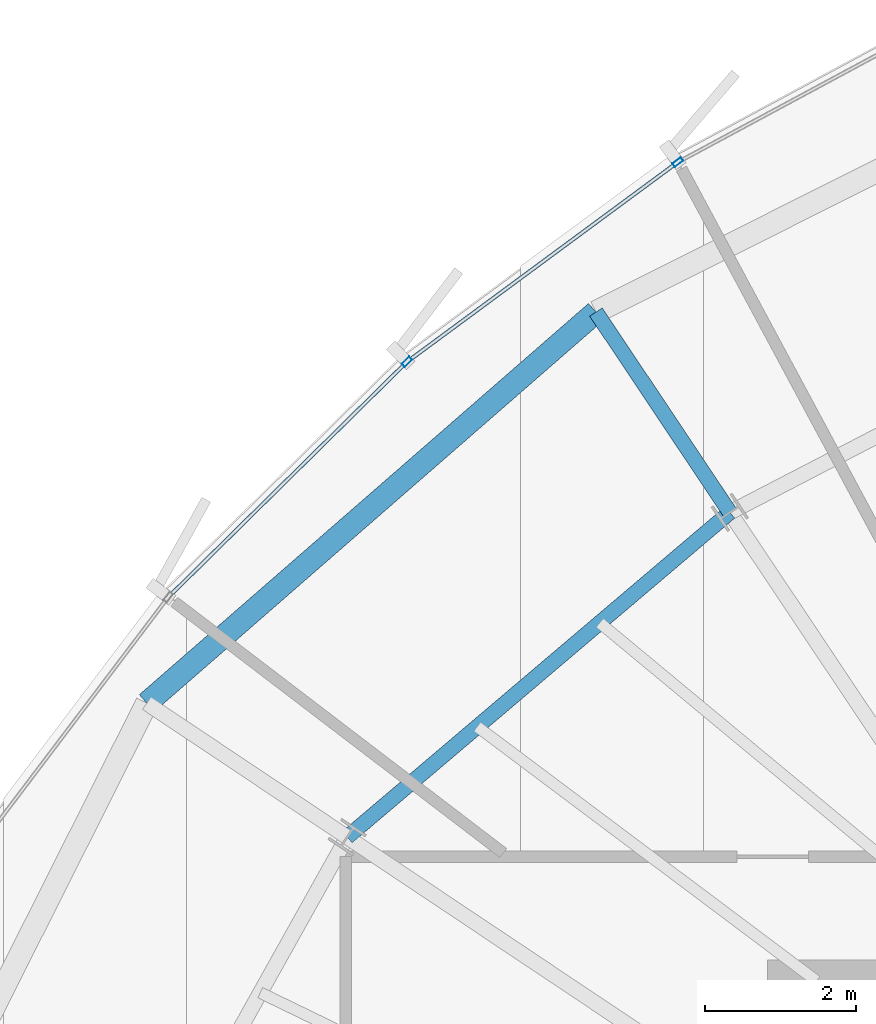
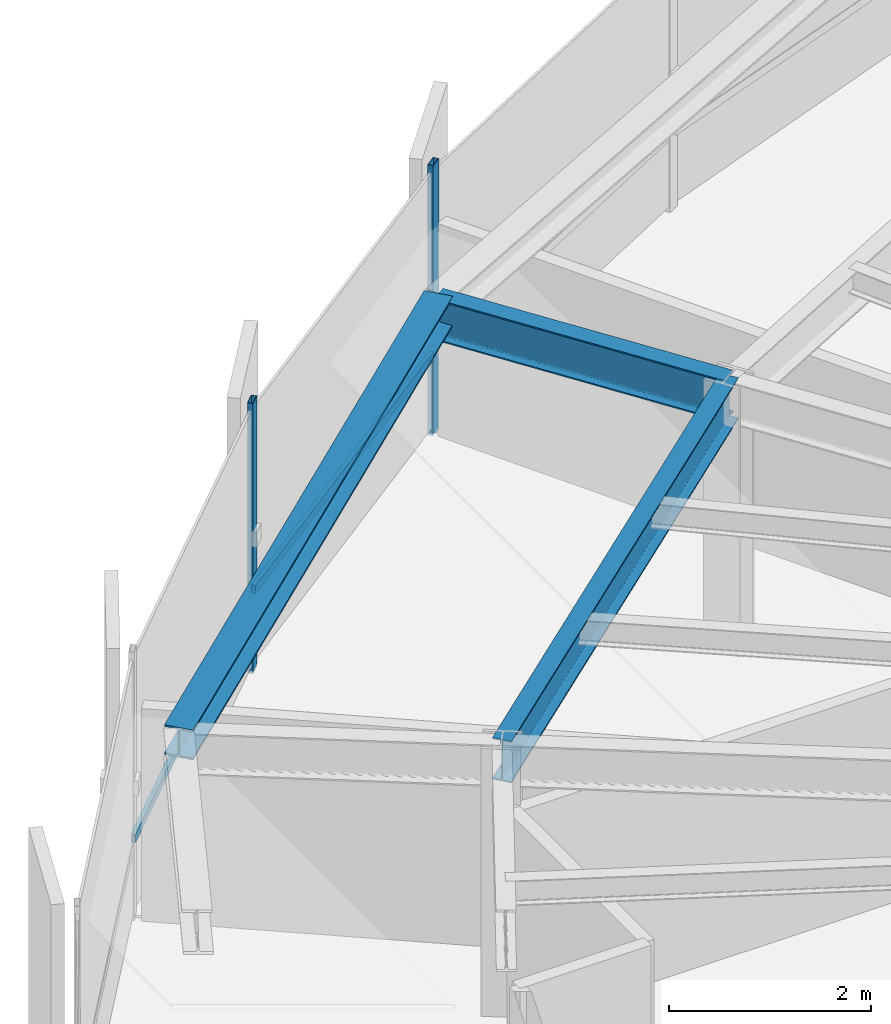
# One storey, part 22 of 36: 4 members, 3 beams, 1 element without a shape of its own.
"""IFC4 building model written with IfcOpenShell, lengths in metres."""

from ifc_helpers import new_model, si_unit, direction, frame, origin, origin_2d, place, context, subcontext, project, spatial, hollow_rectangle, i_section, extrude, source, transform, mapped, material, layer, layer_set, material_profile, profile_set, type_object, element, aggregate, save


model = new_model("IFC4")

# Units and contexts
model_context = context("Model", 3, precision=1e-05, world=origin(), true_north=direction((0.0, 1.0)))
body_context = subcontext(model_context, "Body", "Model", "MODEL_VIEW")
ifc_project = project(units=[si_unit("LENGTHUNIT", "METRE"), si_unit("AREAUNIT", "SQUARE_METRE"), si_unit("VOLUMEUNIT", "CUBIC_METRE"), si_unit("PLANEANGLEUNIT", "RADIAN"), si_unit("MASSUNIT", "GRAM", prefix="KILO"), si_unit("THERMODYNAMICTEMPERATUREUNIT", "KELVIN")], contexts=[model_context])

# Site, building, storey
site_placement = place(None, origin())
site = spatial("IfcSite", under=ifc_project, at=site_placement, CompositionType="ELEMENT")
building_placement = place(site_placement, origin())
building = spatial("IfcBuilding", under=site, at=building_placement, Name="Kethvar Cultural Tower", CompositionType="ELEMENT")
storey_placement = place(building_placement, frame((0.0, 0.0, 197.39990234375)))
storey = spatial("IfcBuildingStorey", under=building, at=storey_placement, Name="L51", CompositionType="ELEMENT", Elevation=197.39990234375)

# Beams
ifc_material_1 = material(Name="Steel S355J2", Category="steel")
ifc_material_profile_1 = material_profile(ifc_material_1, i_section(OverallWidth=0.199951171875, OverallDepth=0.5, WebThickness=0.01025390625, FlangeThickness=0.01611328125, FilletRadius=0.02099609375, at=origin_2d()), Name="Steel S355J2 — IPE500")
ifc_profile_set_1 = profile_set([ifc_material_profile_1], Name="Steel S355J2 — IPE500")
beam_type_1 = type_object("IfcBeamType", Name="BM-IPE500", PredefinedType="BEAM", material=ifc_profile_set_1)
shared_shape_1 = source(origin(), body_context, "Body", "SweptSolid", [
    extrude(i_section(OverallWidth=0.199951171875, OverallDepth=0.5, WebThickness=0.01025390625, FlangeThickness=0.01611328125, FilletRadius=0.02099609375, at=origin_2d()), origin(), (0.0, 0.0, 1.0), 3.199951171875),
])
beam_1_placement = place(storey_placement, frame((37.498779296875, 41.720458984375, 3.008056640625), z_axis=(-0.555580212716, 0.831462943996, 0.0), x_axis=(-0.831462943996, -0.555580212716, 0.0)))
element("IfcBeam", 1, at=beam_1_placement, inside=storey, type_object=beam_type_1, Name="L51 Perimeter Cantilever Beam RC-06", PredefinedType="BEAM", context=body_context, shape_type="MappedRepresentation", body=[
    mapped(shared_shape_1, transform((0.0, 0.0, 0.0), scale=1.0)),
])
shared_shape_2 = source(origin(), body_context, "Body", "SweptSolid", [
    extrude(i_section(OverallWidth=0.199951171875, OverallDepth=0.5, WebThickness=0.01025390625, FlangeThickness=0.01611328125, FilletRadius=0.02099609375, at=origin_2d()), origin(), (0.0, 0.0, 1.0), 6.6630859375),
])
beam_2_placement = place(storey_placement, frame((37.498779296875, 41.720458984375, 3.008056640625), z_axis=(-0.762490511547, -0.646999397064, 0.0), x_axis=(0.646999397064, -0.762490511547, 0.0)))
element("IfcBeam", 2, at=beam_2_placement, inside=storey, type_object=beam_type_1, Name="L51 Column Ring Tie Beam CR-06", PredefinedType="BEAM", context=body_context, shape_type="MappedRepresentation", body=[
    mapped(shared_shape_2, transform((0.0, 0.0, 0.0), scale=1.0)),
])
ifc_material_profile_2 = material_profile(ifc_material_1, i_section(OverallWidth=0.300048828125, OverallDepth=0.360107421875, WebThickness=0.012451171875, FlangeThickness=0.0224609375, FilletRadius=0.027099609375, at=origin_2d()), Name="Steel S355J2 — HEB360")
ifc_profile_set_2 = profile_set([ifc_material_profile_2], Name="Steel S355J2 — HEB360")
beam_type_2 = type_object("IfcBeamType", Name="BM-SP360", PredefinedType="SPANDREL", material=ifc_profile_set_2)
shared_shape_3 = source(origin(), body_context, "Body", "SweptSolid", [
    extrude(i_section(OverallWidth=0.300048828125, OverallDepth=0.360107421875, WebThickness=0.012451171875, FlangeThickness=0.0224609375, FilletRadius=0.027099609375, at=origin_2d()), origin(), (0.0, 0.0, 1.0), 7.908203125),
])
beam_3_placement = place(storey_placement, frame((35.720947265625, 44.381103515625, 3.078125), z_axis=(-0.754085541675, -0.656776214427, 0.0), x_axis=(0.656776214427, -0.754085541675, 0.0)))
element("IfcBeam", 3, at=beam_3_placement, inside=storey, type_object=beam_type_2, Name="L51 Perimeter Spandrel Beam SP-06", PredefinedType="SPANDREL", context=body_context, shape_type="MappedRepresentation", body=[
    mapped(shared_shape_3, transform((0.0, 0.0, 0.0), scale=1.0)),
])

# Curtain wall, members
ifc_material_2 = material(Name="Aluminium 6063-T6", Category="aluminium")
ifc_layer = layer(ifc_material_2, 0.179931640625, Name="Aluminium 6063-T6", Category="aluminium")
ifc_layer_set = layer_set([ifc_layer], Name="Aluminium 6063-T6 (180 mm)")
curtain_wall_type = type_object("IfcCurtainWallType", Name="CW-SYS-04-Z34", PredefinedType="NOTDEFINED", material=ifc_layer_set)
curtain_wall_placement = place(storey_placement, origin())
curtain_wall = element("IfcCurtainWall", 4, at=curtain_wall_placement, inside=storey, type_object=curtain_wall_type, Name="L51 Curtain Wall Run 02", PredefinedType="NOTDEFINED")
ifc_material_profile_3 = material_profile(ifc_material_2, hollow_rectangle(XDim=0.06005859375, YDim=0.139892578125, WallThickness=0.0048828125, at=origin_2d()), Name="Aluminium 6063-T6 — RHS140x60x5")
ifc_profile_set_3 = profile_set([ifc_material_profile_3], Name="Aluminium 6063-T6 — RHS140x60x5")
member_type_1 = type_object("IfcMemberType", Name="CW-SYS-04-Z34-MUL", PredefinedType="MULLION", material=ifc_profile_set_3)
shared_shape_4 = source(origin(), body_context, "Body", "SweptSolid", [
    extrude(hollow_rectangle(XDim=0.06005859375, YDim=0.139892578125, WallThickness=0.0048828125, at=origin_2d()), origin(), (0.0, 0.0, 1.0), 3.260009765625),
])
member_1_placement = place(storey_placement, frame((36.808837890625, 46.37158203125, 0.0), z_axis=(0.0, 0.0, 1.0), x_axis=(0.593573404182, -0.804779854275, 0.0)))
member_1 = element("IfcMember", 5, at=member_1_placement, type_object=member_type_1, Name="CW-L51-R02 Mullion 3", PredefinedType="MULLION", context=body_context, shape_type="MappedRepresentation", body=[
    mapped(shared_shape_4, transform((0.0, 0.0, 0.0), scale=1.0)),
])
member_2_placement = place(storey_placement, frame((33.212890625, 43.720703125, 0.0), z_axis=(0.0, 0.0, 1.0), x_axis=(0.702190333629, -0.711989280367, 0.0)))
member_2 = element("IfcMember", 6, at=member_2_placement, type_object=member_type_1, Name="CW-L51-R02 Mullion 4", PredefinedType="MULLION", context=body_context, shape_type="MappedRepresentation", body=[
    mapped(shared_shape_4, transform((0.0, 0.0, 0.0), scale=1.0)),
])
ifc_material_profile_4 = material_profile(ifc_material_2, hollow_rectangle(XDim=0.050048828125, YDim=0.10009765625, WallThickness=0.00390625, at=origin_2d()), Name="Aluminium 6063-T6 — RHS100x50x4")
ifc_profile_set_4 = profile_set([ifc_material_profile_4], Name="Aluminium 6063-T6 — RHS100x50x4")
member_type_2 = type_object("IfcMemberType", Name="CW-SYS-04-Z34-TRN", PredefinedType="USERDEFINED", material=ifc_profile_set_4)
shared_shape_5 = source(origin(), body_context, "Body", "SweptSolid", [
    extrude(hollow_rectangle(XDim=0.050048828125, YDim=0.10009765625, WallThickness=0.00390625, at=origin_2d()), origin(), (0.0, 0.0, 1.0), 4.39697265625),
])
member_3_placement = place(storey_placement, frame((36.774169921875, 46.345947265625, 0.9501953125), z_axis=(-0.804785004918, -0.593566420765, 0.0), x_axis=(0.593566420765, -0.804785004918, 0.0)))
member_3 = element("IfcMember", 7, at=member_3_placement, type_object=member_type_2, Name="CW-L51-R02 Transom 3", ObjectType="TRANSOM", PredefinedType="USERDEFINED", context=body_context, shape_type="MappedRepresentation", body=[
    mapped(shared_shape_5, transform((0.0, 0.0, 0.0), scale=1.0)),
])
shared_shape_6 = source(origin(), body_context, "Body", "SweptSolid", [
    extrude(hollow_rectangle(XDim=0.050048828125, YDim=0.10009765625, WallThickness=0.00390625, at=origin_2d()), origin(), (0.0, 0.0, 1.0), 4.3818359375),
])
member_4_placement = place(storey_placement, frame((33.18212890625, 43.690185546875, 0.9501953125), z_axis=(-0.711992776909, -0.702186788276, 0.0), x_axis=(0.702186788276, -0.711992776909, 0.0)))
member_4 = element("IfcMember", 8, at=member_4_placement, type_object=member_type_2, Name="CW-L51-R02 Transom 4", ObjectType="TRANSOM", PredefinedType="USERDEFINED", context=body_context, shape_type="MappedRepresentation", body=[
    mapped(shared_shape_6, transform((0.0, 0.0, 0.0), scale=1.0)),
])
aggregate(curtain_wall, [member_1, member_2, member_3, member_4])

save(model, "model.ifc")
